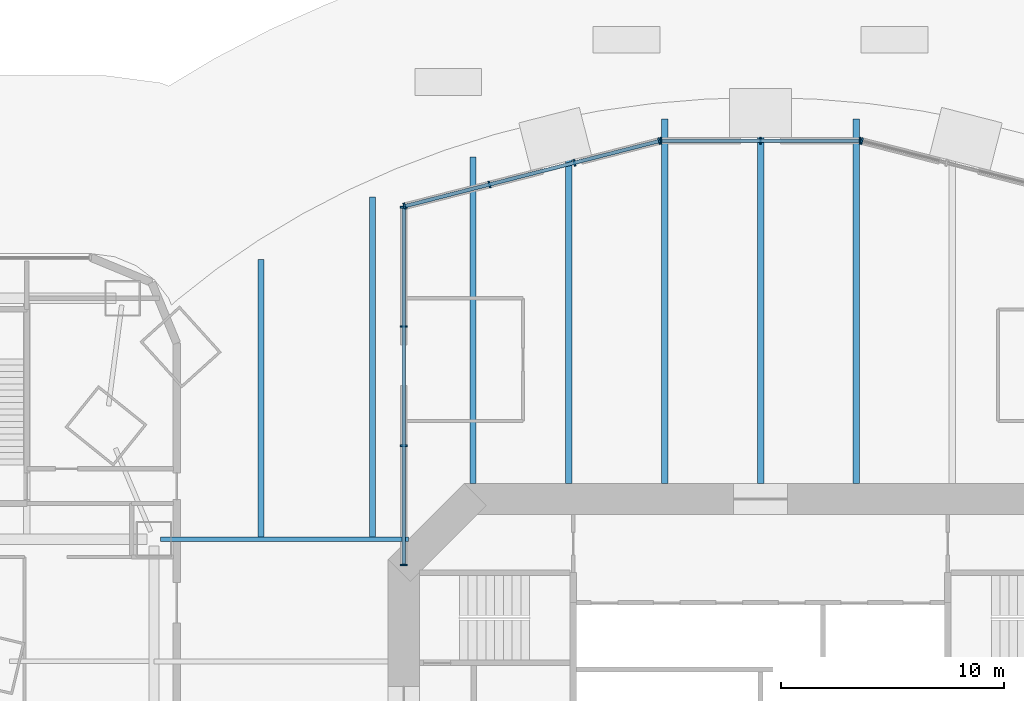
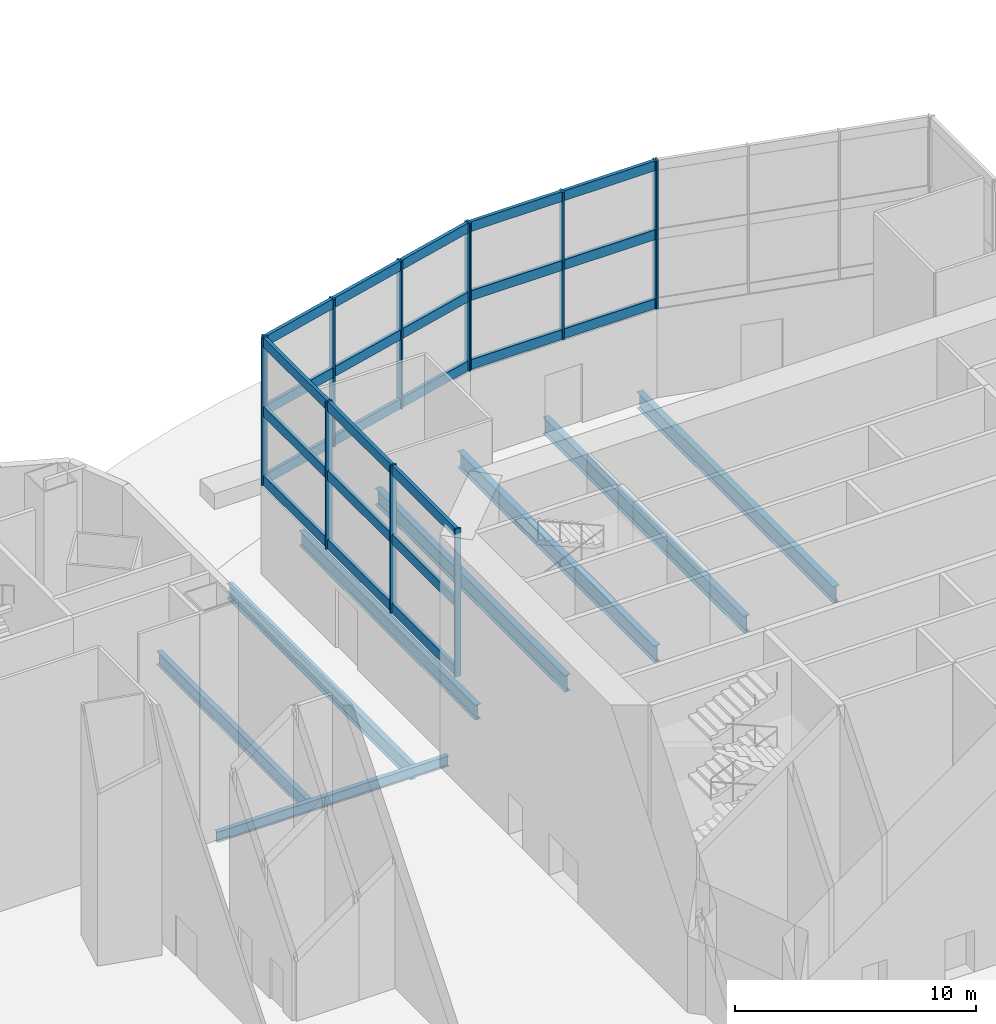
# One storey, part 5 of 23: 21 members, 8 beams, 4 elements without a shape of their own.
"""IFC4 building model written with IfcOpenShell, lengths in metres."""

from ifc_helpers import new_model, si_unit, direction, frame, origin, origin_2d, place, context, subcontext, project, spatial, rectangle, i_section, extrude, material, material_profile, profile_set, type_object, element, aggregate, save


model = new_model("IFC4")

# Units and contexts
model_context = context("Model", 3, precision=1e-05, world=origin(), true_north=direction((0.0, 1.0)))
body_context = subcontext(model_context, "Body", "Model", "MODEL_VIEW")
ifc_project = project(units=[si_unit("LENGTHUNIT", "METRE"), si_unit("AREAUNIT", "SQUARE_METRE"), si_unit("VOLUMEUNIT", "CUBIC_METRE"), si_unit("PLANEANGLEUNIT", "RADIAN"), si_unit("MASSUNIT", "GRAM", prefix="KILO")], contexts=[model_context])

# Site, building, storey
site_placement = place(None, origin())
site = spatial("IfcSite", under=ifc_project, at=site_placement, CompositionType="ELEMENT")
building_placement = place(site_placement, origin())
building = spatial("IfcBuilding", under=site, at=building_placement, Name="Marenthal Gate Tower", CompositionType="ELEMENT")
storey_placement = place(building_placement, origin())
storey = spatial("IfcBuildingStorey", under=building, at=storey_placement, Name="L00", CompositionType="ELEMENT", Elevation=0.0)

# Curtain wall, members
ifc_material_1 = material(Name="Aluminium and glass", Category="aluminium")
curtain_wall_type = type_object("IfcCurtainWallType", Name="Curtain wall arch infill", PredefinedType="NOTDEFINED", material=ifc_material_1)
curtain_wall_1_placement = place(storey_placement, origin())
curtain_wall_1 = element("IfcCurtainWall", 1, at=curtain_wall_1_placement, inside=storey, type_object=curtain_wall_type, Name="Curtain wall L00 arch N1", PredefinedType="NOTDEFINED")
ifc_material_2 = material(Name="Aluminium", Category="aluminium")
ifc_material_profile_1 = material_profile(ifc_material_2, rectangle(XDim=0.300048828125, YDim=0.080078125, at=origin_2d()), Name="80x300 aluminium mullion")
ifc_profile_set_1 = profile_set([ifc_material_profile_1], Name="Aluminium")
member_type_1 = type_object("IfcMemberType", Name="Mullion 80x300 arch infill", PredefinedType="MULLION", material=ifc_profile_set_1)
member_1_placement = place(storey_placement, frame((-15.961181640625, 26.12744140625, 4.5), z_axis=(0.0, 0.0, 1.0), x_axis=(-0.247965362941, 0.968768898542, 0.0)))
member_1 = element("IfcMember", 2, at=member_1_placement, type_object=member_type_1, Name="Mullion L00 arch N1.1", PredefinedType="MULLION", context=body_context, shape_type="SweptSolid", body=[
    extrude(rectangle(XDim=0.300048828125, YDim=0.080078125, at=origin_2d()), origin(), (0.0, 0.0, 1.0), 7.5),
])
member_2_placement = place(storey_placement, frame((-12.15380859375, 27.101806640625, 4.5), z_axis=(0.0, 0.0, 1.0), x_axis=(-0.247965362941, 0.968768898542, 0.0)))
member_2 = element("IfcMember", 3, at=member_2_placement, type_object=member_type_1, Name="Mullion L00 arch N1.2", PredefinedType="MULLION", context=body_context, shape_type="SweptSolid", body=[
    extrude(rectangle(XDim=0.300048828125, YDim=0.080078125, at=origin_2d()), origin(), (0.0, 0.0, 1.0), 7.5),
])
member_3_placement = place(storey_placement, frame((-8.34619140625, 28.076416015625, 4.5), z_axis=(0.0, 0.0, 1.0), x_axis=(-0.247965362941, 0.968768898542, 0.0)))
member_3 = element("IfcMember", 4, at=member_3_placement, type_object=member_type_1, Name="Mullion L00 arch N1.3", PredefinedType="MULLION", context=body_context, shape_type="SweptSolid", body=[
    extrude(rectangle(XDim=0.300048828125, YDim=0.080078125, at=origin_2d()), origin(), (0.0, 0.0, 1.0), 7.5),
])
member_4_placement = place(storey_placement, frame((-4.538818359375, 29.051025390625, 4.5), z_axis=(0.0, 0.0, 1.0), x_axis=(-0.247965362941, 0.968768898542, 0.0)))
member_4 = element("IfcMember", 5, at=member_4_placement, type_object=member_type_1, Name="Mullion L00 arch N1.4", PredefinedType="MULLION", context=body_context, shape_type="SweptSolid", body=[
    extrude(rectangle(XDim=0.300048828125, YDim=0.080078125, at=origin_2d()), origin(), (0.0, 0.0, 1.0), 7.5),
])

curtain_wall_2_placement = place(storey_placement, origin())
curtain_wall_2 = element("IfcCurtainWall", 6, at=curtain_wall_2_placement, inside=storey, type_object=curtain_wall_type, Name="Curtain wall L00 arch N2", PredefinedType="NOTDEFINED")
member_5_placement = place(storey_placement, frame((-4.4599609375, 29.06103515625, 4.5), z_axis=(0.0, 0.0, 1.0), x_axis=(0.0, 1.0, 0.0)))
member_5 = element("IfcMember", 7, at=member_5_placement, type_object=member_type_1, Name="Mullion L00 arch N2.1", PredefinedType="MULLION", context=body_context, shape_type="SweptSolid", body=[
    extrude(rectangle(XDim=0.300048828125, YDim=0.080078125, at=origin_2d()), origin(), (0.0, 0.0, 1.0), 7.5),
])
member_6_placement = place(storey_placement, frame((0.0, 29.06103515625, 4.5), z_axis=(0.0, 0.0, 1.0), x_axis=(0.0, 1.0, 0.0)))
member_6 = element("IfcMember", 8, at=member_6_placement, type_object=member_type_1, Name="Mullion L00 arch N2.2", PredefinedType="MULLION", context=body_context, shape_type="SweptSolid", body=[
    extrude(rectangle(XDim=0.300048828125, YDim=0.080078125, at=origin_2d()), origin(), (0.0, 0.0, 1.0), 7.5),
])
member_7_placement = place(storey_placement, frame((4.4599609375, 29.06103515625, 4.5), z_axis=(0.0, 0.0, 1.0), x_axis=(0.0, 1.0, 0.0)))
member_7 = element("IfcMember", 9, at=member_7_placement, type_object=member_type_1, Name="Mullion L00 arch N2.3", PredefinedType="MULLION", context=body_context, shape_type="SweptSolid", body=[
    extrude(rectangle(XDim=0.300048828125, YDim=0.080078125, at=origin_2d()), origin(), (0.0, 0.0, 1.0), 7.5),
])

# Curtain wall, member
curtain_wall_3_placement = place(storey_placement, origin())
curtain_wall_3 = element("IfcCurtainWall", 10, at=curtain_wall_3_placement, inside=storey, type_object=curtain_wall_type, Name="Curtain wall L00 arch N3", PredefinedType="NOTDEFINED")
member_8_placement = place(storey_placement, frame((4.538818359375, 29.051025390625, 4.5), z_axis=(0.0, 0.0, 1.0), x_axis=(0.247965362941, 0.968768898542, 0.0)))
member_8 = element("IfcMember", 11, at=member_8_placement, type_object=member_type_1, Name="Mullion L00 arch N3.1", PredefinedType="MULLION", context=body_context, shape_type="SweptSolid", body=[
    extrude(rectangle(XDim=0.300048828125, YDim=0.080078125, at=origin_2d()), origin(), (0.0, 0.0, 1.0), 7.5),
])
aggregate(curtain_wall_3, [member_8])

# Curtain wall, members
curtain_wall_4_placement = place(storey_placement, origin())
curtain_wall_4 = element("IfcCurtainWall", 12, at=curtain_wall_4_placement, inside=storey, type_object=curtain_wall_type, Name="Curtain wall L00 hall NW1", PredefinedType="NOTDEFINED")
member_9_placement = place(storey_placement, frame((-16.0, 10.0400390625, 4.5), z_axis=(0.0, 0.0, 1.0), x_axis=(-1.0, 0.0, 0.0)))
member_9 = element("IfcMember", 13, at=member_9_placement, type_object=member_type_1, Name="Mullion L00 hall NW1.1", PredefinedType="MULLION", context=body_context, shape_type="SweptSolid", body=[
    extrude(rectangle(XDim=0.300048828125, YDim=0.080078125, at=origin_2d()), origin(), (0.0, 0.0, 1.0), 7.5),
])
member_10_placement = place(storey_placement, frame((-16.0, 15.3857421875, 4.5), z_axis=(0.0, 0.0, 1.0), x_axis=(-1.0, 0.0, 0.0)))
member_10 = element("IfcMember", 14, at=member_10_placement, type_object=member_type_1, Name="Mullion L00 hall NW1.2", PredefinedType="MULLION", context=body_context, shape_type="SweptSolid", body=[
    extrude(rectangle(XDim=0.300048828125, YDim=0.080078125, at=origin_2d()), origin(), (0.0, 0.0, 1.0), 7.5),
])
member_11_placement = place(storey_placement, frame((-16.0, 20.731689453125, 4.5), z_axis=(0.0, 0.0, 1.0), x_axis=(-1.0, 0.0, 0.0)))
member_11 = element("IfcMember", 15, at=member_11_placement, type_object=member_type_1, Name="Mullion L00 hall NW1.3", PredefinedType="MULLION", context=body_context, shape_type="SweptSolid", body=[
    extrude(rectangle(XDim=0.300048828125, YDim=0.080078125, at=origin_2d()), origin(), (0.0, 0.0, 1.0), 7.5),
])
member_12_placement = place(storey_placement, frame((-16.0, 26.077392578125, 4.5), z_axis=(0.0, 0.0, 1.0), x_axis=(-1.0, 0.0, 0.0)))
member_12 = element("IfcMember", 16, at=member_12_placement, type_object=member_type_1, Name="Mullion L00 hall NW1.4", PredefinedType="MULLION", context=body_context, shape_type="SweptSolid", body=[
    extrude(rectangle(XDim=0.300048828125, YDim=0.080078125, at=origin_2d()), origin(), (0.0, 0.0, 1.0), 7.5),
])

# Member
ifc_material_3 = material(Name="Aluminium", Category="aluminium")
ifc_material_profile_2 = material_profile(ifc_material_3, rectangle(XDim=0.159912109375, YDim=0.5, at=origin_2d()), Name="160x500 aluminium transom")
ifc_profile_set_2 = profile_set([ifc_material_profile_2], Name="Aluminium")
member_type_2 = type_object("IfcMemberType", Name="Transom 160x500 arch infill", PredefinedType="USERDEFINED", material=ifc_profile_set_2)
member_13_placement = place(storey_placement, frame((-15.922607421875, 26.13720703125, 4.75), z_axis=(0.968771034171, 0.247957019161, 0.0), x_axis=(-0.247957019161, 0.968771034171, 0.0)))
member_13 = element("IfcMember", 17, at=member_13_placement, type_object=member_type_2, Name="Transom L00 arch N1.1", ObjectType="TRANSOM", PredefinedType="USERDEFINED", context=body_context, shape_type="SweptSolid", body=[
    extrude(rectangle(XDim=0.159912109375, YDim=0.5, at=origin_2d()), origin(), (0.0, 0.0, 1.0), 11.7109375),
])

member_14_placement = place(storey_placement, frame((-15.922607421875, 26.13720703125, 8.25), z_axis=(0.968771034171, 0.247957019161, 0.0), x_axis=(-0.247957019161, 0.968771034171, 0.0)))
member_14 = element("IfcMember", 18, at=member_14_placement, type_object=member_type_2, Name="Transom L00 arch N1.2", ObjectType="TRANSOM", PredefinedType="USERDEFINED", context=body_context, shape_type="SweptSolid", body=[
    extrude(rectangle(XDim=0.159912109375, YDim=0.5, at=origin_2d()), origin(), (0.0, 0.0, 1.0), 11.7109375),
])

member_15_placement = place(storey_placement, frame((-15.922607421875, 26.13720703125, 11.75), z_axis=(0.968771034171, 0.247957019161, 0.0), x_axis=(-0.247957019161, 0.968771034171, 0.0)))
member_15 = element("IfcMember", 19, at=member_15_placement, type_object=member_type_2, Name="Transom L00 arch N1.3", ObjectType="TRANSOM", PredefinedType="USERDEFINED", context=body_context, shape_type="SweptSolid", body=[
    extrude(rectangle(XDim=0.159912109375, YDim=0.5, at=origin_2d()), origin(), (0.0, 0.0, 1.0), 11.7109375),
])

aggregate(curtain_wall_1, [member_1, member_2, member_3, member_4, member_13, member_14, member_15])

member_16_placement = place(storey_placement, frame((-4.419921875, 29.06103515625, 4.75), z_axis=(1.0, 0.0, 0.0), x_axis=(0.0, 1.0, 0.0)))
member_16 = element("IfcMember", 20, at=member_16_placement, type_object=member_type_2, Name="Transom L00 arch N2.1", ObjectType="TRANSOM", PredefinedType="USERDEFINED", context=body_context, shape_type="SweptSolid", body=[
    extrude(rectangle(XDim=0.159912109375, YDim=0.5, at=origin_2d()), origin(), (0.0, 0.0, 1.0), 8.83984375),
])

member_17_placement = place(storey_placement, frame((-4.419921875, 29.06103515625, 8.25), z_axis=(1.0, 0.0, 0.0), x_axis=(0.0, 1.0, 0.0)))
member_17 = element("IfcMember", 21, at=member_17_placement, type_object=member_type_2, Name="Transom L00 arch N2.2", ObjectType="TRANSOM", PredefinedType="USERDEFINED", context=body_context, shape_type="SweptSolid", body=[
    extrude(rectangle(XDim=0.159912109375, YDim=0.5, at=origin_2d()), origin(), (0.0, 0.0, 1.0), 8.83984375),
])

member_18_placement = place(storey_placement, frame((-4.419921875, 29.06103515625, 11.75), z_axis=(1.0, 0.0, 0.0), x_axis=(0.0, 1.0, 0.0)))
member_18 = element("IfcMember", 22, at=member_18_placement, type_object=member_type_2, Name="Transom L00 arch N2.3", ObjectType="TRANSOM", PredefinedType="USERDEFINED", context=body_context, shape_type="SweptSolid", body=[
    extrude(rectangle(XDim=0.159912109375, YDim=0.5, at=origin_2d()), origin(), (0.0, 0.0, 1.0), 8.83984375),
])

aggregate(curtain_wall_2, [member_5, member_6, member_7, member_16, member_17, member_18])

member_19_placement = place(storey_placement, frame((-16.0, 10.080078125, 4.75), z_axis=(0.0, 1.0, 0.0), x_axis=(-1.0, 0.0, 0.0)))
member_19 = element("IfcMember", 23, at=member_19_placement, type_object=member_type_2, Name="Transom L00 hall NW1.1", ObjectType="TRANSOM", PredefinedType="USERDEFINED", context=body_context, shape_type="SweptSolid", body=[
    extrude(rectangle(XDim=0.159912109375, YDim=0.5, at=origin_2d()), origin(), (0.0, 0.0, 1.0), 15.957275390625),
])

member_20_placement = place(storey_placement, frame((-16.0, 10.080078125, 8.25), z_axis=(0.0, 1.0, 0.0), x_axis=(-1.0, 0.0, 0.0)))
member_20 = element("IfcMember", 24, at=member_20_placement, type_object=member_type_2, Name="Transom L00 hall NW1.2", ObjectType="TRANSOM", PredefinedType="USERDEFINED", context=body_context, shape_type="SweptSolid", body=[
    extrude(rectangle(XDim=0.159912109375, YDim=0.5, at=origin_2d()), origin(), (0.0, 0.0, 1.0), 15.957275390625),
])

member_21_placement = place(storey_placement, frame((-16.0, 10.080078125, 11.75), z_axis=(0.0, 1.0, 0.0), x_axis=(-1.0, 0.0, 0.0)))
member_21 = element("IfcMember", 25, at=member_21_placement, type_object=member_type_2, Name="Transom L00 hall NW1.3", ObjectType="TRANSOM", PredefinedType="USERDEFINED", context=body_context, shape_type="SweptSolid", body=[
    extrude(rectangle(XDim=0.159912109375, YDim=0.5, at=origin_2d()), origin(), (0.0, 0.0, 1.0), 15.957275390625),
])

aggregate(curtain_wall_4, [member_9, member_10, member_11, member_12, member_19, member_20, member_21])

# Beams
ifc_material_4 = material(Name="Steel S355", Category="steel")
ifc_material_profile_3 = material_profile(ifc_material_4, i_section(OverallWidth=0.2099609375, OverallDepth=0.535888671875, WebThickness=0.010986328125, FlangeThickness=0.017333984375, FilletRadius=0.0126953125, at=origin_2d()), Name="W530X101")
ifc_profile_set_3 = profile_set([ifc_material_profile_3], Name="Steel S355")
beam_type_1 = type_object("IfcBeamType", Name="W530X101 beam", PredefinedType="BEAM", material=ifc_profile_set_3)
beam_1_placement = place(storey_placement, frame((-15.7900390625, 11.199951171875, -0.51806640625), z_axis=(-1.0, 0.0, 0.0), x_axis=(0.0, -1.0, 0.0)))
element("IfcBeam", 26, at=beam_1_placement, inside=storey, type_object=beam_type_1, Name="BM-L00-142", PredefinedType="BEAM", context=body_context, shape_type="SweptSolid", body=[
    extrude(i_section(OverallWidth=0.2099609375, OverallDepth=0.535888671875, WebThickness=0.010986328125, FlangeThickness=0.017333984375, FilletRadius=0.0126953125, at=origin_2d()), origin(), (0.0, 0.0, 1.0), 11.10986328125),
])
ifc_material_5 = material(Name="Steel S355", Category="steel")
ifc_material_profile_4 = material_profile(ifc_material_5, i_section(OverallWidth=0.25390625, OverallDepth=0.68310546875, WebThickness=0.012451171875, FlangeThickness=0.018798828125, FilletRadius=0.01513671875, at=origin_2d()), Name="W690X140")
ifc_profile_set_4 = profile_set([ifc_material_profile_4], Name="Steel S355")
beam_type_2 = type_object("IfcBeamType", Name="W690X140 beam", PredefinedType="BEAM", material=ifc_profile_set_4)
beam_2_placement = place(storey_placement, frame((-22.39990234375, 11.304931640625, -0.591552734375), z_axis=(0.0, 1.0, 0.0), x_axis=(-1.0, 0.0, 0.0)))
element("IfcBeam", 27, at=beam_2_placement, inside=storey, type_object=beam_type_2, Name="BM-L00-165", PredefinedType="BEAM", context=body_context, shape_type="SweptSolid", body=[
    extrude(i_section(OverallWidth=0.25390625, OverallDepth=0.68310546875, WebThickness=0.012451171875, FlangeThickness=0.018798828125, FilletRadius=0.01513671875, at=origin_2d()), origin(), (0.0, 0.0, 1.0), 12.435302734375),
])
ifc_material_6 = material(Name="Steel S355", Category="steel")
ifc_material_profile_5 = material_profile(ifc_material_6, i_section(OverallWidth=0.26708984375, OverallDepth=0.75390625, WebThickness=0.01318359375, FlangeThickness=0.01708984375, FilletRadius=0.0166015625, at=origin_2d()), Name="W760X147")
ifc_profile_set_5 = profile_set([ifc_material_profile_5], Name="Steel S355")
beam_type_3 = type_object("IfcBeamType", Name="W760X147 beam", PredefinedType="BEAM", material=ifc_profile_set_5)
beam_3_placement = place(storey_placement, frame((-12.89990234375, 13.699951171875, -0.626953125), z_axis=(0.0, 1.0, 0.0), x_axis=(-1.0, 0.0, 0.0)))
element("IfcBeam", 28, at=beam_3_placement, inside=storey, type_object=beam_type_3, Name="BM-L00-145", PredefinedType="BEAM", context=body_context, shape_type="SweptSolid", body=[
    extrude(i_section(OverallWidth=0.26708984375, OverallDepth=0.75390625, WebThickness=0.01318359375, FlangeThickness=0.01708984375, FilletRadius=0.0166015625, at=origin_2d()), origin(), (0.0, 0.0, 1.0), 14.642333984375),
])
ifc_material_7 = material(Name="Steel S355", Category="steel")
ifc_material_profile_6 = material_profile(ifc_material_7, i_section(OverallWidth=0.26708984375, OverallDepth=0.761962890625, WebThickness=0.014404296875, FlangeThickness=0.021484375, FilletRadius=0.0166015625, at=origin_2d()), Name="W760X173")
ifc_profile_set_6 = profile_set([ifc_material_profile_6], Name="Steel S355")
beam_type_4 = type_object("IfcBeamType", Name="W760X173 beam", PredefinedType="BEAM", material=ifc_profile_set_6)
beam_4_placement = place(storey_placement, frame((-17.39990234375, 11.304931640625, -0.631103515625), z_axis=(0.0, 1.0, 0.0), x_axis=(-1.0, 0.0, 0.0)))
element("IfcBeam", 29, at=beam_4_placement, inside=storey, type_object=beam_type_4, Name="BM-L00-163", PredefinedType="BEAM", context=body_context, shape_type="SweptSolid", body=[
    extrude(i_section(OverallWidth=0.26708984375, OverallDepth=0.761962890625, WebThickness=0.014404296875, FlangeThickness=0.021484375, FilletRadius=0.0166015625, at=origin_2d()), origin(), (0.0, 0.0, 1.0), 15.227783203125),
])
ifc_material_8 = material(Name="Steel S355", Category="steel")
ifc_material_profile_7 = material_profile(ifc_material_8, i_section(OverallWidth=0.2919921875, OverallDepth=0.841064453125, WebThickness=0.0146484375, FlangeThickness=0.021728515625, FilletRadius=0.017822265625, at=origin_2d()), Name="W840X193")
ifc_profile_set_7 = profile_set([ifc_material_profile_7], Name="Steel S355")
beam_type_5 = type_object("IfcBeamType", Name="W840X193 beam", PredefinedType="BEAM", material=ifc_profile_set_7)
beam_5_placement = place(storey_placement, frame((-8.60009765625, 13.699951171875, -0.67041015625), z_axis=(0.0, 1.0, 0.0), x_axis=(-1.0, 0.0, 0.0)))
element("IfcBeam", 30, at=beam_5_placement, inside=storey, type_object=beam_type_5, Name="BM-L00-147", PredefinedType="BEAM", context=body_context, shape_type="SweptSolid", body=[
    extrude(i_section(OverallWidth=0.2919921875, OverallDepth=0.841064453125, WebThickness=0.0146484375, FlangeThickness=0.021728515625, FilletRadius=0.017822265625, at=origin_2d()), origin(), (0.0, 0.0, 1.0), 15.735107421875),
])
beam_6_placement = place(storey_placement, frame((-4.300048828125, 13.699951171875, -0.67041015625), z_axis=(0.0, 1.0, 0.0), x_axis=(-1.0, 0.0, 0.0)))
element("IfcBeam", 31, at=beam_6_placement, inside=storey, type_object=beam_type_5, Name="BM-L00-149", PredefinedType="BEAM", context=body_context, shape_type="SweptSolid", body=[
    extrude(i_section(OverallWidth=0.2919921875, OverallDepth=0.841064453125, WebThickness=0.0146484375, FlangeThickness=0.021728515625, FilletRadius=0.017822265625, at=origin_2d()), origin(), (0.0, 0.0, 1.0), 16.343994140625),
])
beam_7_placement = place(storey_placement, frame((0.0, 13.699951171875, -0.67041015625), z_axis=(0.0, 1.0, 0.0), x_axis=(-1.0, 0.0, 0.0)))
element("IfcBeam", 32, at=beam_7_placement, inside=storey, type_object=beam_type_5, Name="BM-L00-151", PredefinedType="BEAM", context=body_context, shape_type="SweptSolid", body=[
    extrude(i_section(OverallWidth=0.2919921875, OverallDepth=0.841064453125, WebThickness=0.0146484375, FlangeThickness=0.021728515625, FilletRadius=0.017822265625, at=origin_2d()), origin(), (0.0, 0.0, 1.0), 16.69873046875),
])
beam_8_placement = place(storey_placement, frame((4.300048828125, 13.699951171875, -0.67041015625), z_axis=(0.0, 1.0, 0.0), x_axis=(-1.0, 0.0, 0.0)))
element("IfcBeam", 33, at=beam_8_placement, inside=storey, type_object=beam_type_5, Name="BM-L00-153", PredefinedType="BEAM", context=body_context, shape_type="SweptSolid", body=[
    extrude(i_section(OverallWidth=0.2919921875, OverallDepth=0.841064453125, WebThickness=0.0146484375, FlangeThickness=0.021728515625, FilletRadius=0.017822265625, at=origin_2d()), origin(), (0.0, 0.0, 1.0), 16.343994140625),
])

save(model, "model.ifc")
